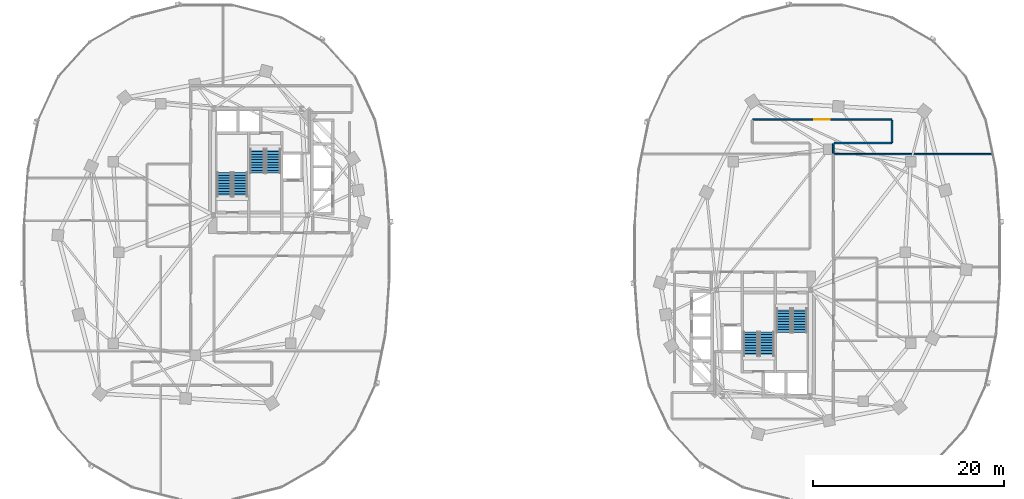
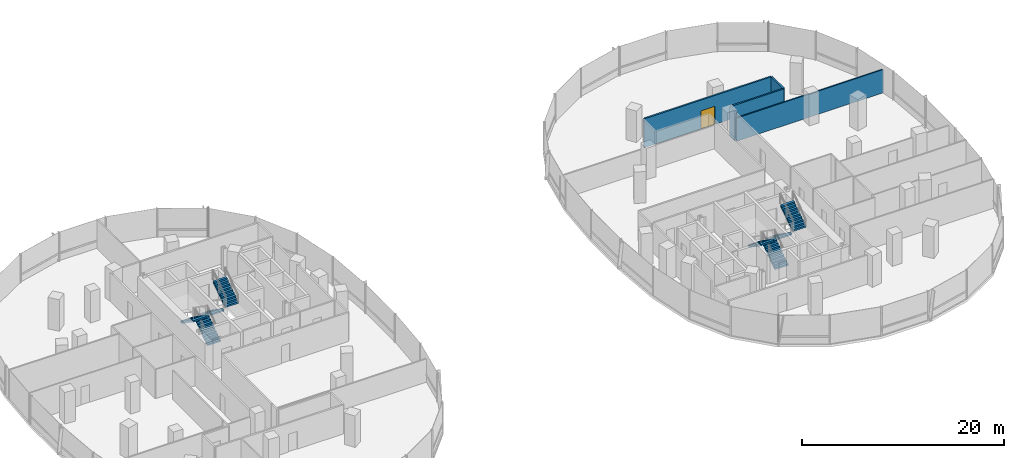
# One storey, part 14 of 21: 8 stair flights, 5 walls, 1 door, 1 opening, 4 elements without a shape of their own.
"""IFC4 building model written with IfcOpenShell, lengths in metres."""

from ifc_helpers import new_model, si_unit, direction, frame, frame_2d, origin, place, context, subcontext, project, spatial, polyline, rectangle, outline, extrude, material, layer, layer_set, type_object, element, fill, aggregate, save


model = new_model("IFC4")

# Units and contexts
model_context = context("Model", 3, precision=1e-05, world=origin(), true_north=direction((0.0, 1.0)))
body_context = subcontext(model_context, "Body", "Model", "MODEL_VIEW")
ifc_project = project(units=[si_unit("LENGTHUNIT", "METRE"), si_unit("AREAUNIT", "SQUARE_METRE"), si_unit("VOLUMEUNIT", "CUBIC_METRE"), si_unit("PLANEANGLEUNIT", "RADIAN"), si_unit("MASSUNIT", "GRAM", prefix="KILO"), si_unit("THERMODYNAMICTEMPERATUREUNIT", "KELVIN"), si_unit("POWERUNIT", "WATT")], contexts=[model_context])

# Site, building, storey
site_placement = place(None, origin())
site = spatial("IfcSite", under=ifc_project, at=site_placement, CompositionType="ELEMENT")
building_placement = place(site_placement, origin())
building = spatial("IfcBuilding", under=site, at=building_placement, Name="Cundina Bronze Exchange", CompositionType="ELEMENT")
storey_placement = place(building_placement, frame((0.0, 0.0, 54.39990234375)))
storey = spatial("IfcBuildingStorey", under=building, at=storey_placement, Name="L13", CompositionType="ELEMENT", Elevation=54.39990234375)

# Wall, opening, door
ifc_material_1 = material(Name="Gypsum Fireboard Partition EI120")
ifc_layer_1 = layer(ifc_material_1, 0.179931640625, Name="Gypsum Fireboard Partition EI120")
ifc_layer_set_1 = layer_set([ifc_layer_1], Name="Gypsum Fireboard Partition EI120")
wall_type_1 = type_object("IfcWallType", Name="WL-COR-180", PredefinedType="PARTITIONING", material=ifc_layer_set_1)
wall_1_placement = place(storey_placement, frame((39.778564453125, 13.919921875, 0.0), z_axis=(0.0, 0.0, 1.0), x_axis=(-1.0, 0.0, 0.0)))
wall_1 = element("IfcWall", 1, at=wall_1_placement, inside=storey, type_object=wall_type_1, Name="L13 Interior Partition 066", PredefinedType="PARTITIONING", context=body_context, shape_type="SweptSolid", body=[
    extrude(rectangle(XDim=14.55712890625, YDim=0.179931640625, at=frame_2d((7.278564453125, 0.0))), origin(), (0.0, 0.0, 1.0), 3.5),
])
opening_placement = place(wall_1_placement, frame((6.478515625, 0.0, 0.0)))
opening = element("IfcOpeningElement", 2, at=opening_placement, cuts=wall_1, Name="Opening DO-02", PredefinedType="OPENING", context=body_context, shape_type="SweptSolid", body=[
    extrude(rectangle(XDim=1.60009765625, YDim=2.199951171875, at=frame_2d((0.800048828125, 1.10009765625))), frame((0.0, 0.099853515625, 0.0), z_axis=(0.0, -1.0, 0.0), x_axis=(1.0, 0.0, 0.0)), (0.0, 0.0, 1.0), 0.199951171875),
])
ifc_material_2 = material(Name="Solid Andean Oak Timber Grade A", Category="wood")
door_type = type_object("IfcDoorType", Name="DR-TRD-1600", OperationType="NOTDEFINED", PredefinedType="DOOR", material=ifc_material_2)
door_placement = place(opening_placement, origin())
door = element("IfcDoor", 3, at=door_placement, inside=storey, type_object=door_type, Name="L13 Interior Door 066", OperationType="SINGLE_SWING_LEFT", OverallHeight=2.199951171875, OverallWidth=1.60009765625, PredefinedType="DOOR", context=body_context, shape_type="SweptSolid", body=[
    extrude(rectangle(XDim=1.60009765625, YDim=2.199951171875, at=frame_2d((0.800048828125, 1.10009765625))), frame((0.0, 0.02490234375, 0.0), z_axis=(0.0, -1.0, 0.0), x_axis=(1.0, 0.0, 0.0)), (0.0, 0.0, 1.0), 0.050048828125),
])
fill(opening, door)

# Walls
wall_2_placement = place(storey_placement, frame((33.75, 11.47998046875, 0.0), z_axis=(0.0, 0.0, 1.0), x_axis=(1.0, 0.0, 0.0)))
element("IfcWall", 4, at=wall_2_placement, inside=storey, type_object=wall_type_1, Name="L13 Interior Partition 067", PredefinedType="PARTITIONING", context=body_context, shape_type="SweptSolid", body=[
    extrude(rectangle(XDim=6.028564453125, YDim=0.179931640625, at=frame_2d((3.01416015625, 0.0))), origin(), (0.0, 0.0, 1.0), 3.5),
])
wall_3_placement = place(storey_placement, frame((39.820068359375, 11.521484375, 0.0), z_axis=(0.0, 0.0, 1.0), x_axis=(0.0, 1.0, 0.0)))
element("IfcWall", 5, at=wall_3_placement, inside=storey, type_object=wall_type_1, Name="L13 Interior Partition 069", PredefinedType="PARTITIONING", context=body_context, shape_type="SweptSolid", body=[
    extrude(rectangle(XDim=2.35693359375, YDim=0.179931640625, at=frame_2d((1.178466796875, 0.0))), origin(), (0.0, 0.0, 1.0), 3.5),
])
wall_4_placement = place(storey_placement, frame((33.669921875, 10.39990234375, 0.0), z_axis=(0.0, 0.0, 1.0), x_axis=(0.0, 1.0, 0.0)))
element("IfcWall", 6, at=wall_4_placement, inside=storey, type_object=wall_type_1, Name="L13 Interior Partition 071", PredefinedType="PARTITIONING", context=body_context, shape_type="SweptSolid", body=[
    extrude(rectangle(XDim=1.0, YDim=0.179931640625, at=frame_2d((0.5, 0.0))), origin(), (0.0, 0.0, 1.0), 3.5),
])
ifc_material_3 = material(Name="Gypsum Acoustic Partition EI60")
ifc_layer_2 = layer(ifc_material_3, 0.14990234375, Name="Gypsum Acoustic Partition EI60")
ifc_layer_set_2 = layer_set([ifc_layer_2], Name="Gypsum Acoustic Partition EI60")
wall_type_2 = type_object("IfcWallType", Name="WL-TEN-150", PredefinedType="PARTITIONING", material=ifc_layer_set_2)
wall_5_placement = place(storey_placement, frame((33.699951171875, 10.31005859375, 0.0), z_axis=(0.0, 0.0, 1.0), x_axis=(1.0, 0.0, 0.0)))
element("IfcWall", 7, at=wall_5_placement, inside=storey, type_object=wall_type_2, Name="L13 Interior Partition 054", PredefinedType="PARTITIONING", context=body_context, shape_type="SweptSolid", body=[
    extrude(rectangle(XDim=16.763671875, YDim=0.14990234375, at=frame_2d((8.3818359375, 0.0))), origin(), (0.0, 0.0, 1.0), 2.80517578125),
])

# Stair, stair flights
ifc_material_4 = material(Name="Concrete C40/50", Category="concrete")
stair_type = type_object("IfcStairType", Name="STR-TRD-380", PredefinedType="HALF_TURN_STAIR", material=ifc_material_4)
stair_1_placement = place(storey_placement, origin())
stair_1 = element("IfcStair", 8, at=stair_1_placement, inside=storey, type_object=stair_type, Name="L13 Smokeproof Exit Stair W1", PredefinedType="HALF_TURN_STAIR")
stair_flight_type = type_object("IfcStairFlightType", Name="FLG-TRD-190", PredefinedType="STRAIGHT", material=ifc_material_4)
stair_flight_1_placement = place(storey_placement, frame((-28.489990234375, 5.85009765625, 0.0), z_axis=(0.0, 0.0, 1.0), x_axis=(0.0, 1.0, 0.0)))
stair_flight_1 = element("IfcStairFlight", 9, at=stair_flight_1_placement, type_object=stair_flight_type, Name="ST-W1 flight 1", NumberOfRisers=10, NumberOfTreads=9, PredefinedType="STRAIGHT", RiserHeight=0.19, TreadLength=0.28, context=body_context, shape_type="SweptSolid", body=[
    extrude(outline(polyline([(0.0, 0.0), (0.0, 0.18994140625), (0.280029296875, 0.18994140625), (0.280029296875, 0.3798828125), (0.56005859375, 0.3798828125), (0.56005859375, 0.570068359375), (0.840087890625, 0.570068359375), (0.840087890625, 0.760009765625), (1.1201171875, 0.760009765625), (1.1201171875, 0.949951171875), (1.39990234375, 0.949951171875), (1.39990234375, 1.139892578125), (1.679931640625, 1.139892578125), (1.679931640625, 1.330078125), (1.9599609375, 1.330078125), (1.9599609375, 1.52001953125), (2.239990234375, 1.52001953125), (2.239990234375, 1.7099609375), (2.52001953125, 1.7099609375), (2.52001953125, 1.89990234375), (2.52001953125, 1.52880859375), (0.266845703125, 0.0), (0.0, 0.0)])), frame((0.0, 0.75, 0.0), z_axis=(0.0, -1.0, 0.0), x_axis=(1.0, 0.0, 0.0)), (0.0, 0.0, 1.0), 1.5),
])
stair_flight_2_placement = place(storey_placement, frame((-30.14990234375, 8.3701171875, 1.900146484375), z_axis=(0.0, 0.0, 1.0), x_axis=(0.0, -1.0, 0.0)))
stair_flight_2 = element("IfcStairFlight", 10, at=stair_flight_2_placement, type_object=stair_flight_type, Name="ST-W1 flight 2", NumberOfRisers=10, NumberOfTreads=9, PredefinedType="STRAIGHT", RiserHeight=0.19, TreadLength=0.28, context=body_context, shape_type="SweptSolid", body=[
    extrude(outline(polyline([(0.0, 0.0), (0.0, 0.18994140625), (0.280029296875, 0.18994140625), (0.280029296875, 0.3798828125), (0.56005859375, 0.3798828125), (0.56005859375, 0.570068359375), (0.840087890625, 0.570068359375), (0.840087890625, 0.760009765625), (1.1201171875, 0.760009765625), (1.1201171875, 0.949951171875), (1.39990234375, 0.949951171875), (1.39990234375, 1.139892578125), (1.679931640625, 1.139892578125), (1.679931640625, 1.330078125), (1.9599609375, 1.330078125), (1.9599609375, 1.52001953125), (2.239990234375, 1.52001953125), (2.239990234375, 1.7099609375), (2.52001953125, 1.7099609375), (2.52001953125, 1.89990234375), (2.52001953125, 1.52880859375), (0.266845703125, 0.0), (0.0, 0.0)])), frame((0.0, 0.75, 0.0), z_axis=(0.0, -1.0, 0.0), x_axis=(1.0, 0.0, 0.0)), (0.0, 0.0, 1.0), 1.5),
])
aggregate(stair_1, [stair_flight_1, stair_flight_2])

stair_2_placement = place(storey_placement, origin())
stair_2 = element("IfcStair", 11, at=stair_2_placement, inside=storey, type_object=stair_type, Name="L13 Smokeproof Exit Stair W2", PredefinedType="HALF_TURN_STAIR")
stair_flight_3_placement = place(storey_placement, frame((-26.68994140625, 10.85009765625, 0.0), z_axis=(0.0, 0.0, 1.0), x_axis=(0.0, -1.0, 0.0)))
stair_flight_3 = element("IfcStairFlight", 12, at=stair_flight_3_placement, type_object=stair_flight_type, Name="ST-W2 flight 1", NumberOfRisers=10, NumberOfTreads=9, PredefinedType="STRAIGHT", RiserHeight=0.19, TreadLength=0.28, context=body_context, shape_type="SweptSolid", body=[
    extrude(outline(polyline([(0.0, 0.0), (0.0, 0.18994140625), (0.280029296875, 0.18994140625), (0.280029296875, 0.3798828125), (0.56005859375, 0.3798828125), (0.56005859375, 0.570068359375), (0.840087890625, 0.570068359375), (0.840087890625, 0.760009765625), (1.1201171875, 0.760009765625), (1.1201171875, 0.949951171875), (1.39990234375, 0.949951171875), (1.39990234375, 1.139892578125), (1.679931640625, 1.139892578125), (1.679931640625, 1.330078125), (1.9599609375, 1.330078125), (1.9599609375, 1.52001953125), (2.239990234375, 1.52001953125), (2.239990234375, 1.7099609375), (2.52001953125, 1.7099609375), (2.52001953125, 1.89990234375), (2.52001953125, 1.52880859375), (0.266845703125, 0.0), (0.0, 0.0)])), frame((0.0, 0.75, 0.0), z_axis=(0.0, -1.0, 0.0), x_axis=(1.0, 0.0, 0.0)), (0.0, 0.0, 1.0), 1.5),
])
stair_flight_4_placement = place(storey_placement, frame((-25.030029296875, 8.330078125, 1.900146484375), z_axis=(0.0, 0.0, 1.0), x_axis=(0.0, 1.0, 0.0)))
stair_flight_4 = element("IfcStairFlight", 13, at=stair_flight_4_placement, type_object=stair_flight_type, Name="ST-W2 flight 2", NumberOfRisers=10, NumberOfTreads=9, PredefinedType="STRAIGHT", RiserHeight=0.19, TreadLength=0.28, context=body_context, shape_type="SweptSolid", body=[
    extrude(outline(polyline([(0.0, 0.0), (0.0, 0.18994140625), (0.280029296875, 0.18994140625), (0.280029296875, 0.3798828125), (0.56005859375, 0.3798828125), (0.56005859375, 0.570068359375), (0.840087890625, 0.570068359375), (0.840087890625, 0.760009765625), (1.1201171875, 0.760009765625), (1.1201171875, 0.949951171875), (1.39990234375, 0.949951171875), (1.39990234375, 1.139892578125), (1.679931640625, 1.139892578125), (1.679931640625, 1.330078125), (1.9599609375, 1.330078125), (1.9599609375, 1.52001953125), (2.239990234375, 1.52001953125), (2.239990234375, 1.7099609375), (2.52001953125, 1.7099609375), (2.52001953125, 1.89990234375), (2.52001953125, 1.52880859375), (0.266845703125, 0.0), (0.0, 0.0)])), frame((0.0, 0.75, 0.0), z_axis=(0.0, -1.0, 0.0), x_axis=(1.0, 0.0, 0.0)), (0.0, 0.0, 1.0), 1.5),
])
aggregate(stair_2, [stair_flight_3, stair_flight_4])

stair_3_placement = place(storey_placement, origin())
stair_3 = element("IfcStair", 14, at=stair_3_placement, inside=storey, type_object=stair_type, Name="L13 Smokeproof Exit Stair E1", PredefinedType="HALF_TURN_STAIR")
stair_flight_5_placement = place(storey_placement, frame((28.489990234375, -5.85009765625, 0.0), z_axis=(0.0, 0.0, 1.0), x_axis=(0.0, -1.0, 0.0)))
stair_flight_5 = element("IfcStairFlight", 15, at=stair_flight_5_placement, type_object=stair_flight_type, Name="ST-E1 flight 1", NumberOfRisers=10, NumberOfTreads=9, PredefinedType="STRAIGHT", RiserHeight=0.19, TreadLength=0.28, context=body_context, shape_type="SweptSolid", body=[
    extrude(outline(polyline([(0.0, 0.0), (0.0, 0.18994140625), (0.280029296875, 0.18994140625), (0.280029296875, 0.3798828125), (0.56005859375, 0.3798828125), (0.56005859375, 0.570068359375), (0.840087890625, 0.570068359375), (0.840087890625, 0.760009765625), (1.1201171875, 0.760009765625), (1.1201171875, 0.949951171875), (1.39990234375, 0.949951171875), (1.39990234375, 1.139892578125), (1.679931640625, 1.139892578125), (1.679931640625, 1.330078125), (1.9599609375, 1.330078125), (1.9599609375, 1.52001953125), (2.239990234375, 1.52001953125), (2.239990234375, 1.7099609375), (2.52001953125, 1.7099609375), (2.52001953125, 1.89990234375), (2.52001953125, 1.52880859375), (0.266845703125, 0.0), (0.0, 0.0)])), frame((0.0, 0.75, 0.0), z_axis=(0.0, -1.0, 0.0), x_axis=(1.0, 0.0, 0.0)), (0.0, 0.0, 1.0), 1.5),
])
stair_flight_6_placement = place(storey_placement, frame((30.14990234375, -8.3701171875, 1.900146484375), z_axis=(0.0, 0.0, 1.0), x_axis=(0.0, 1.0, 0.0)))
stair_flight_6 = element("IfcStairFlight", 16, at=stair_flight_6_placement, type_object=stair_flight_type, Name="ST-E1 flight 2", NumberOfRisers=10, NumberOfTreads=9, PredefinedType="STRAIGHT", RiserHeight=0.19, TreadLength=0.28, context=body_context, shape_type="SweptSolid", body=[
    extrude(outline(polyline([(0.0, 0.0), (0.0, 0.18994140625), (0.280029296875, 0.18994140625), (0.280029296875, 0.3798828125), (0.56005859375, 0.3798828125), (0.56005859375, 0.570068359375), (0.840087890625, 0.570068359375), (0.840087890625, 0.760009765625), (1.1201171875, 0.760009765625), (1.1201171875, 0.949951171875), (1.39990234375, 0.949951171875), (1.39990234375, 1.139892578125), (1.679931640625, 1.139892578125), (1.679931640625, 1.330078125), (1.9599609375, 1.330078125), (1.9599609375, 1.52001953125), (2.239990234375, 1.52001953125), (2.239990234375, 1.7099609375), (2.52001953125, 1.7099609375), (2.52001953125, 1.89990234375), (2.52001953125, 1.52880859375), (0.266845703125, 0.0), (0.0, 0.0)])), frame((0.0, 0.75, 0.0), z_axis=(0.0, -1.0, 0.0), x_axis=(1.0, 0.0, 0.0)), (0.0, 0.0, 1.0), 1.5),
])
aggregate(stair_3, [stair_flight_5, stair_flight_6])

stair_4_placement = place(storey_placement, origin())
stair_4 = element("IfcStair", 17, at=stair_4_placement, inside=storey, type_object=stair_type, Name="L13 Smokeproof Exit Stair E2", PredefinedType="HALF_TURN_STAIR")
stair_flight_7_placement = place(storey_placement, frame((26.68994140625, -10.85009765625, 0.0), z_axis=(0.0, 0.0, 1.0), x_axis=(0.0, 1.0, 0.0)))
stair_flight_7 = element("IfcStairFlight", 18, at=stair_flight_7_placement, type_object=stair_flight_type, Name="ST-E2 flight 1", NumberOfRisers=10, NumberOfTreads=9, PredefinedType="STRAIGHT", RiserHeight=0.19, TreadLength=0.28, context=body_context, shape_type="SweptSolid", body=[
    extrude(outline(polyline([(0.0, 0.0), (0.0, 0.18994140625), (0.280029296875, 0.18994140625), (0.280029296875, 0.3798828125), (0.56005859375, 0.3798828125), (0.56005859375, 0.570068359375), (0.840087890625, 0.570068359375), (0.840087890625, 0.760009765625), (1.1201171875, 0.760009765625), (1.1201171875, 0.949951171875), (1.39990234375, 0.949951171875), (1.39990234375, 1.139892578125), (1.679931640625, 1.139892578125), (1.679931640625, 1.330078125), (1.9599609375, 1.330078125), (1.9599609375, 1.52001953125), (2.239990234375, 1.52001953125), (2.239990234375, 1.7099609375), (2.52001953125, 1.7099609375), (2.52001953125, 1.89990234375), (2.52001953125, 1.52880859375), (0.266845703125, 0.0), (0.0, 0.0)])), frame((0.0, 0.75, 0.0), z_axis=(0.0, -1.0, 0.0), x_axis=(1.0, 0.0, 0.0)), (0.0, 0.0, 1.0), 1.5),
])
stair_flight_8_placement = place(storey_placement, frame((25.030029296875, -8.330078125, 1.900146484375), z_axis=(0.0, 0.0, 1.0), x_axis=(0.0, -1.0, 0.0)))
stair_flight_8 = element("IfcStairFlight", 19, at=stair_flight_8_placement, type_object=stair_flight_type, Name="ST-E2 flight 2", NumberOfRisers=10, NumberOfTreads=9, PredefinedType="STRAIGHT", RiserHeight=0.19, TreadLength=0.28, context=body_context, shape_type="SweptSolid", body=[
    extrude(outline(polyline([(0.0, 0.0), (0.0, 0.18994140625), (0.280029296875, 0.18994140625), (0.280029296875, 0.3798828125), (0.56005859375, 0.3798828125), (0.56005859375, 0.570068359375), (0.840087890625, 0.570068359375), (0.840087890625, 0.760009765625), (1.1201171875, 0.760009765625), (1.1201171875, 0.949951171875), (1.39990234375, 0.949951171875), (1.39990234375, 1.139892578125), (1.679931640625, 1.139892578125), (1.679931640625, 1.330078125), (1.9599609375, 1.330078125), (1.9599609375, 1.52001953125), (2.239990234375, 1.52001953125), (2.239990234375, 1.7099609375), (2.52001953125, 1.7099609375), (2.52001953125, 1.89990234375), (2.52001953125, 1.52880859375), (0.266845703125, 0.0), (0.0, 0.0)])), frame((0.0, 0.75, 0.0), z_axis=(0.0, -1.0, 0.0), x_axis=(1.0, 0.0, 0.0)), (0.0, 0.0, 1.0), 1.5),
])
aggregate(stair_4, [stair_flight_7, stair_flight_8])

save(model, "model.ifc")
